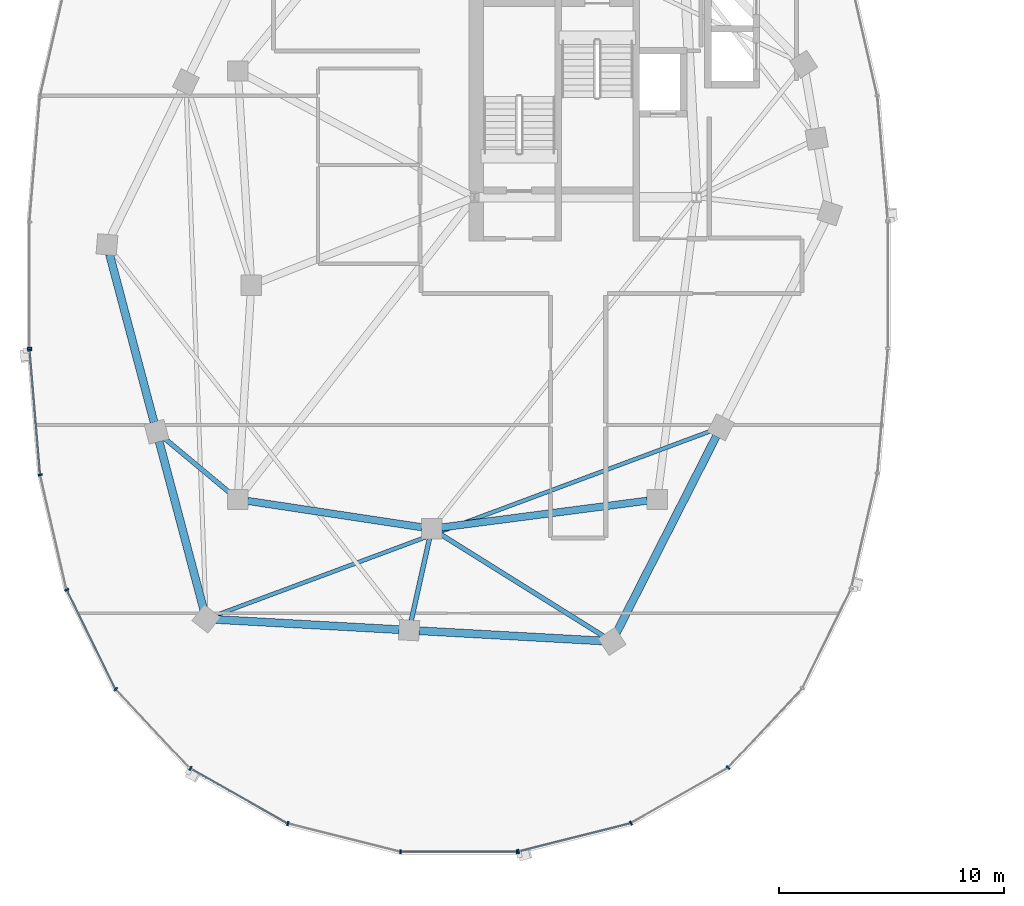
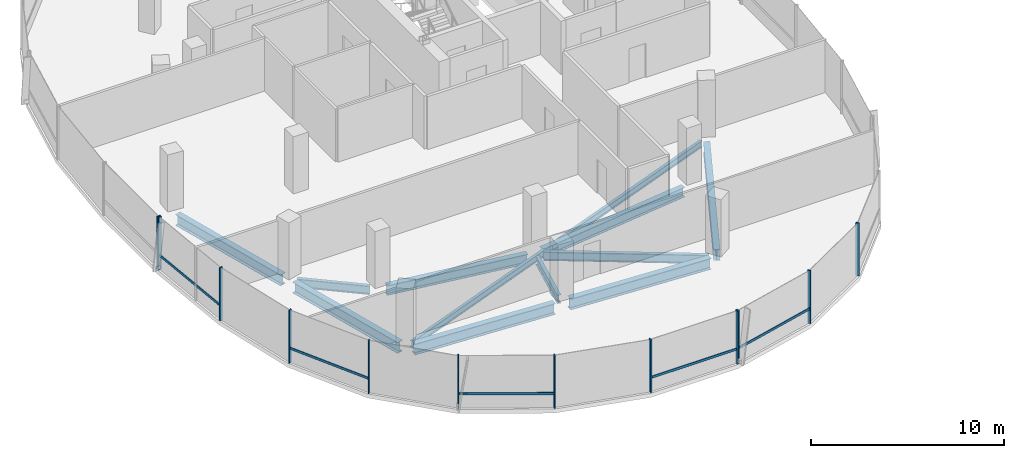
# One storey, part 3 of 25: 17 members, 11 beams, 3 elements without a shape of their own.
"""IFC4 building model written with IfcOpenShell, lengths in metres."""

from ifc_helpers import new_model, si_unit, direction, frame, origin, origin_2d, place, context, subcontext, project, spatial, rectangle, i_section, extrude, material, material_profile, profile_set, type_object, element, aggregate, save


model = new_model("IFC4")

# Units and contexts
model_context = context("Model", 3, precision=1e-05, world=origin(), true_north=direction((0.0, 1.0)))
body_context = subcontext(model_context, "Body", "Model", "MODEL_VIEW")
ifc_project = project(units=[si_unit("LENGTHUNIT", "METRE"), si_unit("AREAUNIT", "SQUARE_METRE"), si_unit("VOLUMEUNIT", "CUBIC_METRE"), si_unit("PLANEANGLEUNIT", "RADIAN"), si_unit("MASSUNIT", "GRAM", prefix="KILO"), si_unit("THERMODYNAMICTEMPERATUREUNIT", "KELVIN"), si_unit("POWERUNIT", "WATT")], contexts=[model_context])

# Site, building, storey
site_placement = place(None, origin())
site = spatial("IfcSite", under=ifc_project, at=site_placement, CompositionType="ELEMENT")
building_placement = place(site_placement, origin())
building = spatial("IfcBuilding", under=site, at=building_placement, Name="Cundina Bronze Exchange", CompositionType="ELEMENT")
storey_placement = place(building_placement, frame((0.0, 0.0, 224.199951171875)))
storey = spatial("IfcBuildingStorey", under=building, at=storey_placement, Name="L59", CompositionType="ELEMENT", Elevation=224.199951171875)

# Beams
ifc_material_1 = material(Name="Steel ASTM A992 Grade 50", Category="steel")
ifc_material_profile_1 = material_profile(ifc_material_1, i_section(OverallWidth=0.2119140625, OverallDepth=0.5439453125, WebThickness=0.01318359375, FlangeThickness=0.021240234375, FilletRadius=0.013916015625, at=origin_2d()), Name="W21X83", Category="steel")
ifc_profile_set_1 = profile_set([ifc_material_profile_1], Name="Steel ASTM A992 Grade 50")
beam_type_1 = type_object("IfcBeamType", Name="BM-FLR-W21A", PredefinedType="BEAM", material=ifc_profile_set_1)
beam_1_placement = place(storey_placement, frame((-42.136474609375, -9.219482421875, -0.531982421875), z_axis=(-0.768247540987, 0.640152884683, 0.0), x_axis=(-0.640152884683, -0.768247540987, 0.0)))
element("IfcBeam", 1, at=beam_1_placement, inside=storey, type_object=beam_type_1, Name="L59 Leg W Radial Floor Beam 09", PredefinedType="BEAM", context=body_context, shape_type="SweptSolid", body=[
    extrude(i_section(OverallWidth=0.2119140625, OverallDepth=0.5439453125, WebThickness=0.01318359375, FlangeThickness=0.021240234375, FilletRadius=0.013916015625, at=origin_2d()), origin(), (0.0, 0.0, 1.0), 3.81005859375),
])
beam_2_placement = place(storey_placement, frame((-33.294921875, -11.2275390625, -0.531982421875), z_axis=(-0.216958151571, -0.976180905605, 0.0), x_axis=(0.976180905605, -0.216958151571, 0.0)))
element("IfcBeam", 2, at=beam_2_placement, inside=storey, type_object=beam_type_1, Name="L59 Leg W Radial Floor Beam 11", PredefinedType="BEAM", context=body_context, shape_type="SweptSolid", body=[
    extrude(i_section(OverallWidth=0.2119140625, OverallDepth=0.5439453125, WebThickness=0.01318359375, FlangeThickness=0.021240234375, FilletRadius=0.013916015625, at=origin_2d()), origin(), (0.0, 0.0, 1.0), 3.733642578125),
])
beam_3_placement = place(storey_placement, frame((-32.82861328125, -11.031982421875, -0.531982421875), z_axis=(0.847995098703, -0.530004068452, 0.0), x_axis=(0.530004068452, 0.847995098703, 0.0)))
element("IfcBeam", 3, at=beam_3_placement, inside=storey, type_object=beam_type_1, Name="L59 Leg W Radial Floor Beam 12", PredefinedType="BEAM", context=body_context, shape_type="SweptSolid", body=[
    extrude(i_section(OverallWidth=0.2119140625, OverallDepth=0.5439453125, WebThickness=0.01318359375, FlangeThickness=0.021240234375, FilletRadius=0.013916015625, at=origin_2d()), origin(), (0.0, 0.0, 1.0), 8.55810546875),
])
ifc_material_profile_2 = material_profile(ifc_material_1, i_section(OverallWidth=0.178955078125, OverallDepth=0.409912109375, WebThickness=0.0087890625, FlangeThickness=0.014404296875, FilletRadius=0.010986328125, at=origin_2d()), Name="W16X45", Category="steel")
ifc_profile_set_2 = profile_set([ifc_material_profile_2], Name="Steel ASTM A992 Grade 50")
beam_type_2 = type_object("IfcBeamType", Name="BM-JST-W16", PredefinedType="JOIST", material=ifc_profile_set_2)
beam_4_placement = place(storey_placement, frame((-42.78955078125, -14.647216796875, -0.46484375), z_axis=(0.937127927239, 0.348986028358, 0.0), x_axis=(-0.348986028358, 0.937127927239, 0.0)))
element("IfcBeam", 4, at=beam_4_placement, inside=storey, type_object=beam_type_2, Name="L59 Leg W Lobe Floor Joist 10-13", PredefinedType="JOIST", context=body_context, shape_type="SweptSolid", body=[
    extrude(i_section(OverallWidth=0.178955078125, OverallDepth=0.409912109375, WebThickness=0.0087890625, FlangeThickness=0.014404296875, FilletRadius=0.010986328125, at=origin_2d()), origin(), (0.0, 0.0, 1.0), 23.48046875),
])
ifc_material_profile_3 = material_profile(ifc_material_1, i_section(OverallWidth=0.324951171875, OverallDepth=0.615966796875, WebThickness=0.013916015625, FlangeThickness=0.021484375, FilletRadius=0.01611328125, at=origin_2d()), Name="W24X117", Category="steel")
ifc_profile_set_3 = profile_set([ifc_material_profile_3], Name="Steel ASTM A992 Grade 50")
beam_type_3 = type_object("IfcBeamType", Name="BM-RING-W24", PredefinedType="USERDEFINED", material=ifc_profile_set_3)
beam_5_placement = place(storey_placement, frame((-41.366943359375, -9.5654296875, -0.56787109375), z_axis=(0.988764903598, -0.149478979839, 0.0), x_axis=(0.149478979839, 0.988764903598, 0.0)))
element("IfcBeam", 5, at=beam_5_placement, inside=storey, type_object=beam_type_3, Name="L59 W Inner Structural Ring Girder 05", ObjectType="GIRDER", PredefinedType="USERDEFINED", context=body_context, shape_type="SweptSolid", body=[
    extrude(i_section(OverallWidth=0.324951171875, OverallDepth=0.615966796875, WebThickness=0.013916015625, FlangeThickness=0.021484375, FilletRadius=0.01611328125, at=origin_2d()), origin(), (0.0, 0.0, 1.0), 7.82177734375),
])
beam_6_placement = place(storey_placement, frame((-32.765625, -10.743408203125, -0.56787109375), z_axis=(0.991656498582, 0.128908451316, 0.0), x_axis=(-0.128908451316, 0.991656498582, 0.0)))
element("IfcBeam", 6, at=beam_6_placement, inside=storey, type_object=beam_type_3, Name="L59 W Inner Structural Ring Girder 06", ObjectType="GIRDER", PredefinedType="USERDEFINED", context=body_context, shape_type="SweptSolid", body=[
    extrude(i_section(OverallWidth=0.324951171875, OverallDepth=0.615966796875, WebThickness=0.013916015625, FlangeThickness=0.021484375, FilletRadius=0.01611328125, at=origin_2d()), origin(), (0.0, 0.0, 1.0), 9.208251953125),
])
ifc_material_profile_4 = material_profile(ifc_material_1, i_section(OverallWidth=0.35498046875, OverallDepth=0.695068359375, WebThickness=0.015380859375, FlangeThickness=0.02490234375, FilletRadius=0.01806640625, at=origin_2d()), Name="W27X146", Category="steel")
ifc_profile_set_4 = profile_set([ifc_material_profile_4], Name="Steel ASTM A992 Grade 50")
beam_type_4 = type_object("IfcBeamType", Name="BM-RING-W27", PredefinedType="USERDEFINED", material=ifc_profile_set_4)
for number, where, z_axis, x_axis, name in (
    (7, (-47.48779296875, 1.376708984375, -0.607421875), (0.256211934474, -0.966620631185, 0.0), (0.966620631185, 0.256211934474, 0.0), "L59 W Perimeter Ring Girder 08"),
    (8, (-45.287841796875, -6.92333984375, -0.607421875), (0.256211934474, -0.966620631185, 0.0), (0.966620631185, 0.256211934474, 0.0), "L59 W Perimeter Ring Girder 09"),
):
    element("IfcBeam", number, at=place(storey_placement, frame(where, z_axis=z_axis, x_axis=x_axis)), inside=storey, type_object=beam_type_4, Name=name, ObjectType="GIRDER", PredefinedType="USERDEFINED", context=body_context, shape_type="SweptSolid", body=[
        extrude(i_section(OverallWidth=0.35498046875, OverallDepth=0.695068359375, WebThickness=0.015380859375, FlangeThickness=0.02490234375, FilletRadius=0.01806640625, at=origin_2d()), origin(), (0.0, 0.0, 1.0), 7.710693359375),
    ])
for number, where, z_axis, x_axis, name in (
    (9, (-42.7626953125, -14.82421875, -0.607421875), (0.998460353205, -0.055470019623, 0.0), (0.055470019623, 0.998460353205, 0.0), "L59 W Perimeter Ring Girder 10"),
    (10, (-33.7626953125, -15.32421875, -0.607421875), (0.998460353205, -0.055470019623, 0.0), (0.055470019623, 0.998460353205, 0.0), "L59 W Perimeter Ring Girder 11"),
):
    element("IfcBeam", number, at=place(storey_placement, frame(where, z_axis=z_axis, x_axis=x_axis)), inside=storey, type_object=beam_type_4, Name=name, ObjectType="GIRDER", PredefinedType="USERDEFINED", context=body_context, shape_type="SweptSolid", body=[
        extrude(i_section(OverallWidth=0.35498046875, OverallDepth=0.695068359375, WebThickness=0.015380859375, FlangeThickness=0.02490234375, FilletRadius=0.01806640625, at=origin_2d()), origin(), (0.0, 0.0, 1.0), 8.137939453125),
    ])
beam_7_placement = place(storey_placement, frame((-25.001708984375, -15.409423828125, -0.607421875), z_axis=(0.452846871434, 0.891588308039, 0.0), x_axis=(-0.891588308039, 0.452846871434, 0.0)))
element("IfcBeam", 11, at=beam_7_placement, inside=storey, type_object=beam_type_4, Name="L59 W Perimeter Ring Girder 12", ObjectType="GIRDER", PredefinedType="USERDEFINED", context=body_context, shape_type="SweptSolid", body=[
    extrude(i_section(OverallWidth=0.35498046875, OverallDepth=0.695068359375, WebThickness=0.015380859375, FlangeThickness=0.02490234375, FilletRadius=0.01806640625, at=origin_2d()), origin(), (0.0, 0.0, 1.0), 9.779052734375),
])

# Curtain wall, member
ifc_material_2 = material(Name="Anodised Bronze Aluminium 6063-T6", Category="aluminium")
curtain_wall_type = type_object("IfcCurtainWallType", Name="CWS-UPP-OFF", PredefinedType="NOTDEFINED", material=ifc_material_2)
curtain_wall_1_placement = place(storey_placement, origin())
curtain_wall_1 = element("IfcCurtainWall", 12, at=curtain_wall_1_placement, inside=storey, type_object=curtain_wall_type, Name="L59 CW-05 Curtain Wall Run CWR-L59-W2", PredefinedType="NOTDEFINED")
ifc_material_profile_5 = material_profile(ifc_material_2, rectangle(XDim=0.070068359375, YDim=0.18994140625, at=origin_2d()), Name="AL70X190", Category="aluminium")
ifc_profile_set_5 = profile_set([ifc_material_profile_5], Name="Anodised Bronze Aluminium 6063-T6")
member_type_1 = type_object("IfcMemberType", Name="CWM-MUL-190", PredefinedType="MULLION", material=ifc_profile_set_5)
member_1_placement = place(storey_placement, frame((-51.033935546875, -2.794921875, 0.0), z_axis=(0.0, 0.0, 1.0), x_axis=(0.0, -1.0, 0.0)))
member_1 = element("IfcMember", 13, at=member_1_placement, type_object=member_type_1, Name="CW-05 End Mullion", PredefinedType="MULLION", context=body_context, shape_type="SweptSolid", body=[
    extrude(rectangle(XDim=0.070068359375, YDim=0.18994140625, at=origin_2d()), origin(), (0.0, 0.0, 1.0), 3.340087890625),
])
aggregate(curtain_wall_1, [member_1])

# Curtain wall, members
curtain_wall_2_placement = place(storey_placement, origin())
curtain_wall_2 = element("IfcCurtainWall", 14, at=curtain_wall_2_placement, inside=storey, type_object=curtain_wall_type, Name="L59 CW-05 Curtain Wall Run CWR-L59-W3", PredefinedType="NOTDEFINED")
member_2_placement = place(storey_placement, frame((-51.0302734375, -2.88330078125, 0.0), z_axis=(0.0, 0.0, 1.0), x_axis=(0.083677843332, -0.99649285925, 0.0)))
member_2 = element("IfcMember", 15, at=member_2_placement, type_object=member_type_1, Name="CW-05 Mullion 1", PredefinedType="MULLION", context=body_context, shape_type="SweptSolid", body=[
    extrude(rectangle(XDim=0.070068359375, YDim=0.18994140625, at=origin_2d()), origin(), (0.0, 0.0, 1.0), 3.340087890625),
])
member_3_placement = place(storey_placement, frame((-50.56005859375, -8.4111328125, 0.0), z_axis=(0.0, 0.0, 1.0), x_axis=(0.223250116011, -0.974761194191, 0.0)))
member_3 = element("IfcMember", 16, at=member_3_placement, type_object=member_type_1, Name="CW-05 Mullion 2", PredefinedType="MULLION", context=body_context, shape_type="SweptSolid", body=[
    extrude(rectangle(XDim=0.070068359375, YDim=0.18994140625, at=origin_2d()), origin(), (0.0, 0.0, 1.0), 3.340087890625),
])
member_4_placement = place(storey_placement, frame((-49.38427734375, -13.50732421875, 0.0), z_axis=(0.0, 0.0, 1.0), x_axis=(0.440566004113, -0.897720221461, 0.0)))
member_4 = element("IfcMember", 17, at=member_4_placement, type_object=member_type_1, Name="CW-05 Mullion 3", PredefinedType="MULLION", context=body_context, shape_type="SweptSolid", body=[
    extrude(rectangle(XDim=0.070068359375, YDim=0.18994140625, at=origin_2d()), origin(), (0.0, 0.0, 1.0), 3.340087890625),
])
member_5_placement = place(storey_placement, frame((-47.209716796875, -17.91796875, 0.0), z_axis=(0.0, 0.0, 1.0), x_axis=(0.684292606175, -0.729207535023, 0.0)))
member_5 = element("IfcMember", 18, at=member_5_placement, type_object=member_type_1, Name="CW-05 Mullion 4", PredefinedType="MULLION", context=body_context, shape_type="SweptSolid", body=[
    extrude(rectangle(XDim=0.070068359375, YDim=0.18994140625, at=origin_2d()), origin(), (0.0, 0.0, 1.0), 3.340087890625),
])
member_6_placement = place(storey_placement, frame((-43.899658203125, -21.43115234375, 0.0), z_axis=(0.0, 0.0, 1.0), x_axis=(0.86958112538, -0.493790103568, 0.0)))
member_6 = element("IfcMember", 19, at=member_6_placement, type_object=member_type_1, Name="CW-05 Mullion 5", PredefinedType="MULLION", context=body_context, shape_type="SweptSolid", body=[
    extrude(rectangle(XDim=0.070068359375, YDim=0.18994140625, at=origin_2d()), origin(), (0.0, 0.0, 1.0), 3.340087890625),
])
member_7_placement = place(storey_placement, frame((-39.577392578125, -23.87548828125, 0.0), z_axis=(0.0, 0.0, 1.0), x_axis=(0.969744325821, -0.244122802168, 0.0)))
member_7 = element("IfcMember", 20, at=member_7_placement, type_object=member_type_1, Name="CW-05 Mullion 6", PredefinedType="MULLION", context=body_context, shape_type="SweptSolid", body=[
    extrude(rectangle(XDim=0.070068359375, YDim=0.18994140625, at=origin_2d()), origin(), (0.0, 0.0, 1.0), 3.340087890625),
])
member_8_placement = place(storey_placement, frame((-34.580078125, -25.125, 0.0), z_axis=(0.0, 0.0, 1.0), x_axis=(1.0, 0.0, 0.0)))
member_8 = element("IfcMember", 21, at=member_8_placement, type_object=member_type_1, Name="CW-05 Mullion 7", PredefinedType="MULLION", context=body_context, shape_type="SweptSolid", body=[
    extrude(rectangle(XDim=0.070068359375, YDim=0.18994140625, at=origin_2d()), origin(), (0.0, 0.0, 1.0), 3.340087890625),
])
member_9_placement = place(storey_placement, frame((-29.419921875, -25.125, 0.0), z_axis=(0.0, 0.0, 1.0), x_axis=(1.0, 0.0, 0.0)))
member_9 = element("IfcMember", 22, at=member_9_placement, type_object=member_type_1, Name="CW-05 End Mullion", PredefinedType="MULLION", context=body_context, shape_type="SweptSolid", body=[
    extrude(rectangle(XDim=0.070068359375, YDim=0.18994140625, at=origin_2d()), origin(), (0.0, 0.0, 1.0), 3.340087890625),
])

curtain_wall_3_placement = place(storey_placement, origin())
curtain_wall_3 = element("IfcCurtainWall", 23, at=curtain_wall_3_placement, inside=storey, type_object=curtain_wall_type, Name="L59 CW-05 Curtain Wall Run CWR-L59-W4", PredefinedType="NOTDEFINED")
member_10_placement = place(storey_placement, frame((-29.3515625, -25.116455078125, 0.0), z_axis=(0.0, 0.0, 1.0), x_axis=(0.969744325821, 0.244122802168, 0.0)))
member_10 = element("IfcMember", 24, at=member_10_placement, type_object=member_type_1, Name="CW-05 Mullion 1", PredefinedType="MULLION", context=body_context, shape_type="SweptSolid", body=[
    extrude(rectangle(XDim=0.070068359375, YDim=0.18994140625, at=origin_2d()), origin(), (0.0, 0.0, 1.0), 3.340087890625),
])
member_11_placement = place(storey_placement, frame((-24.361083984375, -23.850830078125, 0.0), z_axis=(0.0, 0.0, 1.0), x_axis=(0.86958112538, 0.493790103568, 0.0)))
member_11 = element("IfcMember", 25, at=member_11_placement, type_object=member_type_1, Name="CW-05 Mullion 2", PredefinedType="MULLION", context=body_context, shape_type="SweptSolid", body=[
    extrude(rectangle(XDim=0.070068359375, YDim=0.18994140625, at=origin_2d()), origin(), (0.0, 0.0, 1.0), 3.340087890625),
])
member_12_placement = place(storey_placement, frame((-20.05126953125, -21.392578125, 0.0), z_axis=(0.0, 0.0, 1.0), x_axis=(0.684292606175, 0.729207535023, 0.0)))
member_12 = element("IfcMember", 26, at=member_12_placement, type_object=member_type_1, Name="CW-05 Mullion 3", PredefinedType="MULLION", context=body_context, shape_type="SweptSolid", body=[
    extrude(rectangle(XDim=0.070068359375, YDim=0.18994140625, at=origin_2d()), origin(), (0.0, 0.0, 1.0), 3.340087890625),
])

# Member
ifc_material_profile_6 = material_profile(ifc_material_2, rectangle(XDim=0.06494140625, YDim=0.14990234375, at=origin_2d()), Name="AL65X150", Category="aluminium")
ifc_profile_set_6 = profile_set([ifc_material_profile_6], Name="Anodised Bronze Aluminium 6063-T6")
member_type_2 = type_object("IfcMemberType", Name="CWM-TRN-150", PredefinedType="USERDEFINED", material=ifc_profile_set_6)
member_13_placement = place(storey_placement, frame((-51.027099609375, -2.921630859375, 0.920166015625), z_axis=(0.083740331158, -0.996487610027, 0.0), x_axis=(0.996487610027, 0.083740331158, 0.0)))
member_13 = element("IfcMember", 27, at=member_13_placement, type_object=member_type_2, Name="CW-05 Spandrel Transom 1", ObjectType="TRANSOM", PredefinedType="USERDEFINED", context=body_context, shape_type="SweptSolid", body=[
    extrude(rectangle(XDim=0.06494140625, YDim=0.14990234375, at=origin_2d()), origin(), (0.0, 0.0, 1.0), 5.466552734375),
])

member_14_placement = place(storey_placement, frame((-49.3671875, -13.5419921875, 0.920166015625), z_axis=(0.440483110889, -0.897760897467, 0.0), x_axis=(0.897760897467, 0.440483110889, 0.0)))
member_14 = element("IfcMember", 28, at=member_14_placement, type_object=member_type_2, Name="CW-05 Spandrel Transom 3", ObjectType="TRANSOM", PredefinedType="USERDEFINED", context=body_context, shape_type="SweptSolid", body=[
    extrude(rectangle(XDim=0.06494140625, YDim=0.14990234375, at=origin_2d()), origin(), (0.0, 0.0, 1.0), 4.855224609375),
])

member_15_placement = place(storey_placement, frame((-43.8662109375, -21.4501953125, 0.920166015625), z_axis=(0.869573748083, -0.493803095013, 0.0), x_axis=(0.493803095013, 0.869573748083, 0.0)))
member_15 = element("IfcMember", 29, at=member_15_placement, type_object=member_type_2, Name="CW-05 Spandrel Transom 5", ObjectType="TRANSOM", PredefinedType="USERDEFINED", context=body_context, shape_type="SweptSolid", body=[
    extrude(rectangle(XDim=0.06494140625, YDim=0.14990234375, at=origin_2d()), origin(), (0.0, 0.0, 1.0), 4.900146484375),
])

member_16_placement = place(storey_placement, frame((-34.54150390625, -25.125, 0.920166015625), z_axis=(1.0, 0.0, 0.0), x_axis=(0.0, 1.0, 0.0)))
member_16 = element("IfcMember", 30, at=member_16_placement, type_object=member_type_2, Name="CW-05 Spandrel Transom 7", ObjectType="TRANSOM", PredefinedType="USERDEFINED", context=body_context, shape_type="SweptSolid", body=[
    extrude(rectangle(XDim=0.06494140625, YDim=0.14990234375, at=origin_2d()), origin(), (0.0, 0.0, 1.0), 5.0830078125),
])

aggregate(curtain_wall_2, [member_2, member_13, member_3, member_4, member_14, member_5, member_6, member_15, member_7, member_8, member_9, member_16])

member_17_placement = place(storey_placement, frame((-29.314208984375, -25.107177734375, 0.920166015625), z_axis=(0.969725738797, 0.244196624699, 0.0), x_axis=(-0.244196624699, 0.969725738797, 0.0)))
member_17 = element("IfcMember", 31, at=member_17_placement, type_object=member_type_2, Name="CW-05 Spandrel Transom 1", ObjectType="TRANSOM", PredefinedType="USERDEFINED", context=body_context, shape_type="SweptSolid", body=[
    extrude(rectangle(XDim=0.06494140625, YDim=0.14990234375, at=origin_2d()), origin(), (0.0, 0.0, 1.0), 5.082763671875),
])

aggregate(curtain_wall_3, [member_10, member_17, member_11, member_12])

save(model, "model.ifc")
